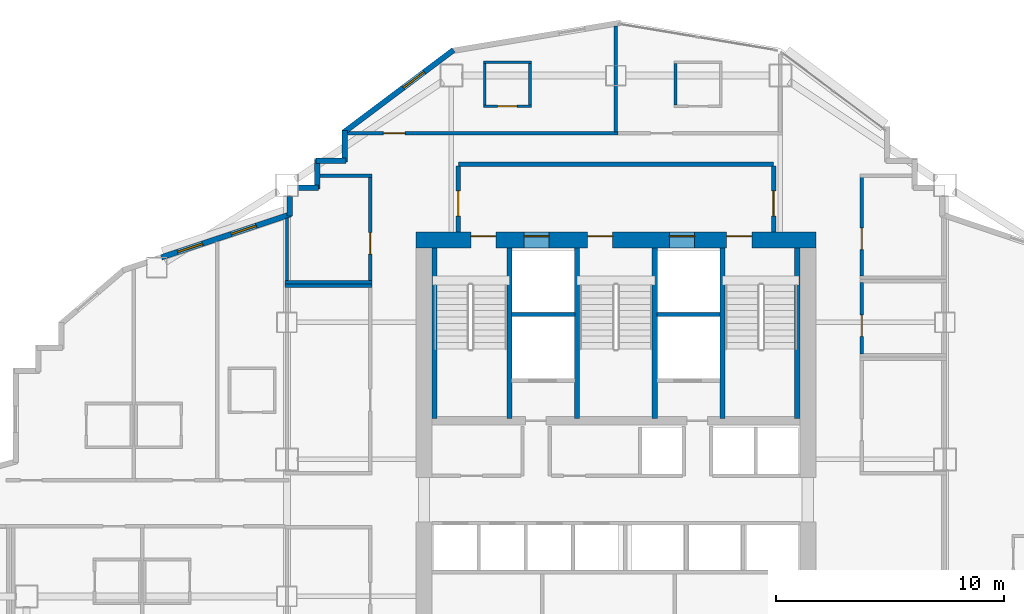
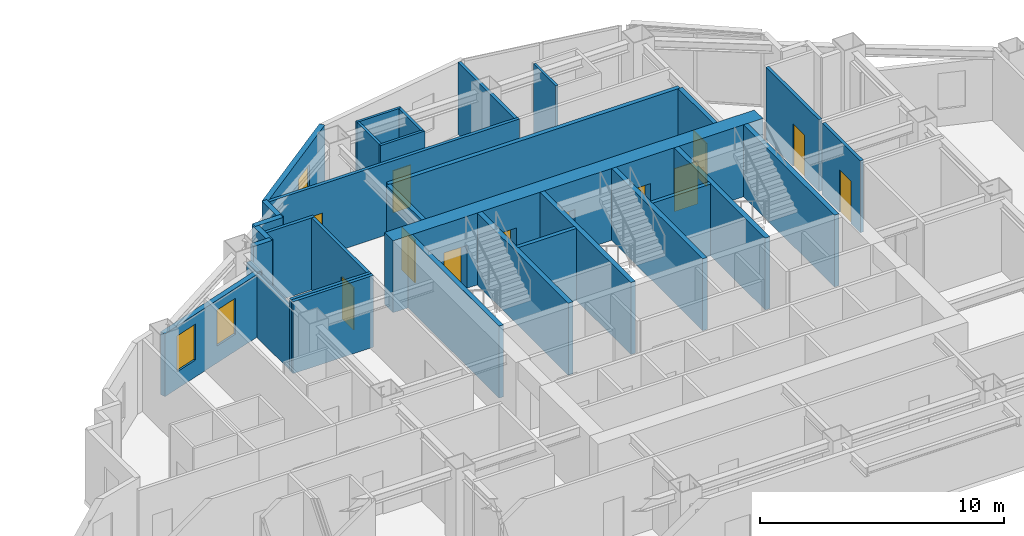
# One storey, part 11 of 14: 33 walls, 12 doors, 3 windows, 15 openings.
"""IFC4 building model written with IfcOpenShell, lengths in metres."""

import ifcopenshell
import ifcopenshell.guid

model = None  # the IFC model being written
_history = None  # IfcOwnerHistory: only IFC2X3 demands one
_inside = {}  # id of a spatial element -> (the spatial element, [elements in it])
_under = {}  # id of a project, library or spatial element -> (it, [spatial elements below it])
_declared = {}  # id of a project -> (the project, [libraries it declares])
_typed = {}  # id of a type object -> (the type object, [elements of that type])
_made_of = {}  # id of a material, layer set ... -> (it, [elements and type objects made of it])


def new_model(schema):
    """Start an empty IFC model of exactly this schema.

    Asked for "IFC4X3", IfcOpenShell would pick the latest addendum, in which some entities
    have other attributes; the version numbers below select the first issue.
    IFC2X3 requires an IfcOwnerHistory on every rooted entity: one is made here for all.
    """
    global model, _history
    if schema == "IFC4X3":
        model = ifcopenshell.file(schema_version=(4, 3, 0, 0))
    else:
        model = ifcopenshell.file(schema=schema)
    _inside.clear()
    _under.clear()
    _declared.clear()
    _typed.clear()
    _made_of.clear()
    _history = None
    if model.schema == "IFC2X3":
        org = make("IfcOrganization", Name="unknown")
        user = make(
            "IfcPersonAndOrganization",
            ThePerson=make("IfcPerson", FamilyName="unknown"),
            TheOrganization=org,
        )
        app = make(
            "IfcApplication",
            ApplicationDeveloper=org,
            Version="unknown",
            ApplicationFullName="unknown",
            ApplicationIdentifier="unknown",
        )
        _history = make(
            "IfcOwnerHistory",
            OwningUser=user,
            OwningApplication=app,
            ChangeAction="ADDED",
            CreationDate=0,
        )
    return model


def make(cls, **values):
    """One entity of the class cls with the attributes given. An attribute that is None is left unset."""
    return model.create_entity(
        cls, **{name: value for name, value in values.items() if value is not None}
    )


def rooted(cls, **values):
    """An entity with a GlobalId (a new one), such as an element, a storey or a relation."""
    return make(cls, GlobalId=ifcopenshell.guid.new(), OwnerHistory=_history, **values)


def si_unit(unit_type, name, prefix=None):
    """IfcSIUnit, for example si_unit("LENGTHUNIT", "METRE", prefix="MILLI")."""
    return make("IfcSIUnit", UnitType=unit_type, Prefix=prefix, Name=name)


def assignment(units):
    """IfcUnitAssignment: the units of a project."""
    return None if units is None else make("IfcUnitAssignment", Units=units)


def point(xyz):
    """IfcCartesianPoint."""
    return None if xyz is None else make("IfcCartesianPoint", Coordinates=xyz)


def direction(xyz):
    """IfcDirection."""
    return None if xyz is None else make("IfcDirection", DirectionRatios=xyz)


def frame(location, z_axis=None, x_axis=None):
    """IfcAxis2Placement3D, a coordinate frame: its origin and axes. An axis left out is left unset."""
    return make(
        "IfcAxis2Placement3D",
        Location=point(location),
        Axis=direction(z_axis),
        RefDirection=direction(x_axis),
    )


def frame_2d(location, x_axis=None):
    """IfcAxis2Placement2D, a coordinate frame in the plane: its origin and x axis."""
    return make(
        "IfcAxis2Placement2D", Location=point(location), RefDirection=direction(x_axis)
    )


def origin():
    """The frame at (0, 0, 0) with its axes left unset."""
    return frame((0.0, 0.0, 0.0))


def place(relative_to, where):
    """IfcLocalPlacement: puts the frame where relative to a parent placement (None: the world)."""
    return make(
        "IfcLocalPlacement", PlacementRelTo=relative_to, RelativePlacement=where
    )


def context(
    kind, dimensions, precision=None, world=None, true_north=None, identifier=None
):
    """IfcGeometricRepresentationContext, for example the 3D "Model" context."""
    return make(
        "IfcGeometricRepresentationContext",
        ContextIdentifier=identifier,
        ContextType=kind,
        CoordinateSpaceDimension=dimensions,
        Precision=precision,
        WorldCoordinateSystem=world,
        TrueNorth=true_north,
    )


def subcontext(parent, identifier, kind, view, scale=None):
    """IfcGeometricRepresentationSubContext, for example "Body" below "Model"."""
    return make(
        "IfcGeometricRepresentationSubContext",
        ContextIdentifier=identifier,
        ContextType=kind,
        ParentContext=parent,
        TargetScale=scale,
        TargetView=view,
    )


def project(units=None, contexts=None):
    """IfcProject with its units and contexts."""
    return rooted(
        "IfcProject",
        Name="project",
        RepresentationContexts=contexts,
        UnitsInContext=assignment(units),
    )


def spatial(cls, under=None, at=None, **own):
    """A site, building, storey or space (cls), placed at a placement, below another one or the project."""
    s = rooted(cls, ObjectPlacement=at, **own)
    if under is not None:
        _under.setdefault(under.id(), (under, []))[1].append(s)
    return s


def profile(cls, at=None, kind="AREA", **sizes):
    """A parametric profile (cls). Its sizes go by their IFC names, for example OverallWidth=200.0."""
    return make(cls, ProfileType=kind, Position=at, **sizes)


def rectangle(**sizes):
    """IfcRectangleProfileDef."""
    return profile("IfcRectangleProfileDef", **sizes)


def extrude(swept, where, along, depth):
    """IfcExtrudedAreaSolid: the profile swept, set in the frame where, extruded along a direction by depth."""
    return make(
        "IfcExtrudedAreaSolid",
        SweptArea=swept,
        Position=where,
        ExtrudedDirection=direction(along),
        Depth=depth,
    )


def shape(context_of_items, identifier, shape_type, items):
    """IfcShapeRepresentation: the items that make up one representation, for example the "Body"."""
    return make(
        "IfcShapeRepresentation",
        ContextOfItems=context_of_items,
        RepresentationIdentifier=identifier,
        RepresentationType=shape_type,
        Items=items,
    )


def material(Name=None, Category=None):
    """IfcMaterial."""
    return make("IfcMaterial", Name=Name, Category=Category)


def layer(
    of_material, thickness, ventilated=None, Name=None, Category=None, Priority=None
):
    """IfcMaterialLayer: one layer of a wall or slab, of a material (None: an air gap)."""
    return make(
        "IfcMaterialLayer",
        Material=of_material,
        LayerThickness=thickness,
        IsVentilated=ventilated,
        Name=Name,
        Category=Category,
        Priority=Priority,
    )


def layer_set(layers, Name=None):
    """IfcMaterialLayerSet."""
    return make("IfcMaterialLayerSet", MaterialLayers=layers, LayerSetName=Name)


def made_of(thing, what):
    """Note that an element or type object is made of a material, layer set ...; save() writes the relation."""
    if what is not None:
        _made_of.setdefault(what.id(), (what, []))[1].append(thing)
    return thing


def type_object(cls, material=None, **own):
    """A type object (cls), such as IfcWallType, which elements share."""
    return made_of(rooted(cls, **own), material)


def element(
    cls,
    number,
    at=None,
    inside=None,
    cuts=None,
    type_object=None,
    material=None,
    context=None,
    identifier="Body",
    shape_type=None,
    held_by="IfcProductDefinitionShape",
    body=None,
    shapes=None,
    **own,
):
    """One element of the class cls, such as IfcWall. Its Tag is "e" and its number.

    at: its placement. inside: the storey or other place that contains it. cuts: it is an
    opening in that element (IfcRelVoidsElement). A single representation is given by context,
    identifier, shape_type and body (its items); several are given by shapes. held_by: the class
    of the entity that holds the representations. save() writes the other relations.
    """
    e = rooted(cls, Tag="e%d" % number, ObjectPlacement=at, **own)
    if body is not None:
        shapes = [shape(context, identifier, shape_type, body)]
    if shapes is not None:
        e.Representation = make(held_by, Representations=shapes)
    if inside is not None:
        _inside.setdefault(inside.id(), (inside, []))[1].append(e)
    if cuts is not None:
        rooted(
            "IfcRelVoidsElement", RelatingBuildingElement=cuts, RelatedOpeningElement=e
        )
    if type_object is not None:
        _typed.setdefault(type_object.id(), (type_object, []))[1].append(e)
    return made_of(e, material)


def fill(opening, filler):
    """IfcRelFillsElement: the door or window that sits in an opening."""
    return rooted(
        "IfcRelFillsElement",
        RelatingOpeningElement=opening,
        RelatedBuildingElement=filler,
    )


def aggregate(whole, parts):
    """IfcRelAggregates: a whole, such as a stair, and the parts it consists of."""
    return rooted("IfcRelAggregates", RelatingObject=whole, RelatedObjects=parts)


def save(model, path):
    """Write the relations noted so far, then the file.

    IfcRelAggregates (storeys below a building ...), IfcRelContainedInSpatialStructure (elements
    in a storey), IfcRelDefinesByType, IfcRelAssociatesMaterial and IfcRelDeclares: one each for
    every whole, place, type object, material and project.
    """
    for whole, parts in _under.values():
        aggregate(whole, parts)
    for where, things in _inside.values():
        rooted(
            "IfcRelContainedInSpatialStructure",
            RelatedElements=things,
            RelatingStructure=where,
        )
    for kind, things in _typed.values():
        rooted("IfcRelDefinesByType", RelatedObjects=things, RelatingType=kind)
    for what, things in _made_of.values():
        rooted("IfcRelAssociatesMaterial", RelatedObjects=things, RelatingMaterial=what)
    for by, libraries in _declared.values():
        rooted("IfcRelDeclares", RelatingContext=by, RelatedDefinitions=libraries)
    model.write(path)


model = new_model("IFC4")

# Units and contexts
model_context = context("Model", 3, precision=1e-05, world=origin(), true_north=direction((0.0, 1.0)))
body_context = subcontext(model_context, "Body", "Model", "MODEL_VIEW")
ifc_project = project(units=[si_unit("LENGTHUNIT", "METRE"), si_unit("AREAUNIT", "SQUARE_METRE"), si_unit("VOLUMEUNIT", "CUBIC_METRE"), si_unit("PLANEANGLEUNIT", "RADIAN"), si_unit("MASSUNIT", "GRAM", prefix="KILO")], contexts=[model_context])

# Site, building, storey
site_placement = place(None, origin())
site = spatial("IfcSite", under=ifc_project, at=site_placement, CompositionType="ELEMENT")
building_placement = place(site_placement, origin())
building = spatial("IfcBuilding", under=site, at=building_placement, Name="Haolan Belvedere Tower", CompositionType="ELEMENT")
storey_placement = place(building_placement, frame((0.0, 0.0, 148.60009765625)))
storey = spatial("IfcBuildingStorey", under=building, at=storey_placement, Name="L37", CompositionType="ELEMENT", Elevation=148.60009765625)

# Wall, openings, doors
ifc_material_1 = material(Name="Concrete C60/75", Category="concrete")
ifc_layer_1 = layer(ifc_material_1, 0.699951171875, Name="Concrete C60/75")
ifc_layer_set_1 = layer_set([ifc_layer_1], Name="Concrete C60/75")
wall_type_1 = type_object("IfcWallType", Name="WL-CORE-700", PredefinedType="SHEAR", material=ifc_layer_set_1)
wall_1_placement = place(storey_placement, frame((29.64990234375, 43.199951171875, 0.0), z_axis=(0.0, 0.0, 1.0), x_axis=(1.0, 0.0, 0.0)))
wall_1 = element("IfcWall", 1, at=wall_1_placement, inside=storey, type_object=wall_type_1, Name="L37 central core north shear wall", PredefinedType="SHEAR", context=body_context, shape_type="SweptSolid", body=[
    extrude(rectangle(XDim=17.5, YDim=0.699951171875, at=frame_2d((8.75, 0.0))), origin(), (0.0, 0.0, 1.0), 3.599853515625),
])
opening_1_placement = place(wall_1_placement, frame((2.39990234375, 0.0, 0.0)))
opening_1 = element("IfcOpeningElement", 2, at=opening_1_placement, cuts=wall_1, Name="Opening FD-03", PredefinedType="OPENING", context=body_context, shape_type="SweptSolid", body=[
    extrude(rectangle(XDim=1.10009765625, YDim=2.14990234375, at=frame_2d((0.550048828125, 1.074951171875))), frame((0.0, 0.35986328125, 0.0), z_axis=(0.0, -1.0, 0.0), x_axis=(1.0, 0.0, 0.0)), (0.0, 0.0, 1.0), 0.719970703125),
])
opening_2_placement = place(wall_1_placement, frame((7.510009765625, 0.0, 0.0)))
opening_2 = element("IfcOpeningElement", 3, at=opening_2_placement, cuts=wall_1, Name="Opening FD-03", PredefinedType="OPENING", context=body_context, shape_type="SweptSolid", body=[
    extrude(rectangle(XDim=1.10009765625, YDim=2.14990234375, at=frame_2d((0.550048828125, 1.074951171875))), frame((0.0, 0.35986328125, 0.0), z_axis=(0.0, -1.0, 0.0), x_axis=(1.0, 0.0, 0.0)), (0.0, 0.0, 1.0), 0.719970703125),
])
opening_3_placement = place(wall_1_placement, frame((13.60009765625, 0.0, 0.0)))
opening_3 = element("IfcOpeningElement", 4, at=opening_3_placement, cuts=wall_1, Name="Opening FD-03", PredefinedType="OPENING", context=body_context, shape_type="SweptSolid", body=[
    extrude(rectangle(XDim=1.10009765625, YDim=2.14990234375, at=frame_2d((0.550048828125, 1.074951171875))), frame((0.0, 0.35986328125, 0.0), z_axis=(0.0, -1.0, 0.0), x_axis=(1.0, 0.0, 0.0)), (0.0, 0.0, 1.0), 0.719970703125),
])
opening_4_placement = place(wall_1_placement, frame((4.72998046875, 0.0, 0.0)))
opening_4 = element("IfcOpeningElement", 5, at=opening_4_placement, cuts=wall_1, Name="Opening LD-01", PredefinedType="OPENING", context=body_context, shape_type="SweptSolid", body=[
    extrude(rectangle(XDim=1.10009765625, YDim=2.199951171875, at=frame_2d((0.550048828125, 1.10009765625))), frame((0.0, 0.35986328125, 0.0), z_axis=(0.0, -1.0, 0.0), x_axis=(1.0, 0.0, 0.0)), (0.0, 0.0, 1.0), 0.719970703125),
])
opening_5_placement = place(wall_1_placement, frame((11.090087890625, 0.0, 0.0)))
opening_5 = element("IfcOpeningElement", 6, at=opening_5_placement, cuts=wall_1, Name="Opening LD-01", PredefinedType="OPENING", context=body_context, shape_type="SweptSolid", body=[
    extrude(rectangle(XDim=1.10009765625, YDim=2.199951171875, at=frame_2d((0.550048828125, 1.10009765625))), frame((0.0, 0.35986328125, 0.0), z_axis=(0.0, -1.0, 0.0), x_axis=(1.0, 0.0, 0.0)), (0.0, 0.0, 1.0), 0.719970703125),
])
ifc_material_2 = material(Name="Galvanised fire-rated steel", Category="steel")
door_type_1 = type_object("IfcDoorType", Name="DR-FD90-1100", OperationType="NOTDEFINED", PredefinedType="DOOR", material=ifc_material_2)
door_1_placement = place(opening_1_placement, origin())
door_1 = element("IfcDoor", 7, at=door_1_placement, inside=storey, type_object=door_type_1, Name="L37 door CD-L37-ST1", OperationType="SINGLE_SWING_LEFT", OverallHeight=2.14990234375, OverallWidth=1.10009765625, PredefinedType="DOOR", context=body_context, shape_type="SweptSolid", body=[
    extrude(rectangle(XDim=1.10009765625, YDim=2.14990234375, at=frame_2d((0.550048828125, 1.074951171875))), frame((0.0, 0.18505859375, 0.0), z_axis=(0.0, -1.0, 0.0), x_axis=(1.0, 0.0, 0.0)), (0.0, 0.0, 1.0), 0.050048828125),
])
fill(opening_1, door_1)
door_2_placement = place(opening_2_placement, origin())
door_2 = element("IfcDoor", 8, at=door_2_placement, inside=storey, type_object=door_type_1, Name="L37 door CD-L37-ST3", OperationType="SINGLE_SWING_LEFT", OverallHeight=2.14990234375, OverallWidth=1.10009765625, PredefinedType="DOOR", context=body_context, shape_type="SweptSolid", body=[
    extrude(rectangle(XDim=1.10009765625, YDim=2.14990234375, at=frame_2d((0.550048828125, 1.074951171875))), frame((0.0, 0.18505859375, 0.0), z_axis=(0.0, -1.0, 0.0), x_axis=(1.0, 0.0, 0.0)), (0.0, 0.0, 1.0), 0.050048828125),
])
fill(opening_2, door_2)
door_3_placement = place(opening_3_placement, origin())
door_3 = element("IfcDoor", 9, at=door_3_placement, inside=storey, type_object=door_type_1, Name="L37 door CD-L37-ST2", OperationType="SINGLE_SWING_RIGHT", OverallHeight=2.14990234375, OverallWidth=1.10009765625, PredefinedType="DOOR", context=body_context, shape_type="SweptSolid", body=[
    extrude(rectangle(XDim=1.10009765625, YDim=2.14990234375, at=frame_2d((0.550048828125, 1.074951171875))), frame((0.0, 0.18505859375, 0.0), z_axis=(0.0, -1.0, 0.0), x_axis=(1.0, 0.0, 0.0)), (0.0, 0.0, 1.0), 0.050048828125),
])
fill(opening_3, door_3)
ifc_material_3 = material(Name="Brushed champagne stainless steel 316L", Category="steel")
door_type_2 = type_object("IfcDoorType", Name="DR-LIFT-1100", OperationType="SLIDING_TO_LEFT", PredefinedType="DOOR", material=ifc_material_3)
door_4_placement = place(opening_4_placement, origin())
door_4 = element("IfcDoor", 10, at=door_4_placement, inside=storey, type_object=door_type_2, Name="L37 door LD-L37-FF1", OperationType="SLIDING_TO_LEFT", OverallHeight=2.199951171875, OverallWidth=1.10009765625, PredefinedType="DOOR", context=body_context, shape_type="SweptSolid", body=[
    extrude(rectangle(XDim=1.10009765625, YDim=2.199951171875, at=frame_2d((0.550048828125, 1.10009765625))), frame((0.0, 0.18505859375, 0.0), z_axis=(0.0, -1.0, 0.0), x_axis=(1.0, 0.0, 0.0)), (0.0, 0.0, 1.0), 0.050048828125),
])
fill(opening_4, door_4)
door_5_placement = place(opening_5_placement, origin())
door_5 = element("IfcDoor", 11, at=door_5_placement, inside=storey, type_object=door_type_2, Name="L37 door LD-L37-FF2", OperationType="SLIDING_TO_LEFT", OverallHeight=2.199951171875, OverallWidth=1.10009765625, PredefinedType="DOOR", context=body_context, shape_type="SweptSolid", body=[
    extrude(rectangle(XDim=1.10009765625, YDim=2.199951171875, at=frame_2d((0.550048828125, 1.10009765625))), frame((0.0, 0.18505859375, 0.0), z_axis=(0.0, -1.0, 0.0), x_axis=(1.0, 0.0, 0.0)), (0.0, 0.0, 1.0), 0.050048828125),
])
fill(opening_5, door_5)

# Wall, opening, window
ifc_material_4 = material(Name="Precast concrete C40/50", Category="concrete")
ifc_layer_2 = layer(ifc_material_4, 0.239990234375, Name="Precast concrete C40/50")
ifc_layer_set_2 = layer_set([ifc_layer_2], Name="Precast concrete C40/50")
wall_type_2 = type_object("IfcWallType", Name="WL-EXT-240", PredefinedType="SOLIDWALL", material=ifc_layer_set_2)
wall_2_placement = place(storey_placement, frame((31.29248046875, 51.519287109375, 0.0), z_axis=(0.0, 0.0, 1.0), x_axis=(-0.8, -0.6, 0.0)))
wall_2 = element("IfcWall", 12, at=wall_2_placement, inside=storey, type_object=wall_type_2, Name="L37 pale-metal exterior spandrel wall 29.1", PredefinedType="SOLIDWALL", context=body_context, shape_type="SweptSolid", body=[
    extrude(rectangle(XDim=6.0205078125, YDim=0.239990234375, at=frame_2d((3.01025390625, 0.0))), origin(), (0.0, 0.0, 1.0), 3.599853515625),
])
opening_6_placement = place(wall_2_placement, frame((1.60009765625, 0.0, 0.85009765625)))
opening_6 = element("IfcOpeningElement", 13, at=opening_6_placement, cuts=wall_2, Name="Opening W-02", PredefinedType="OPENING", context=body_context, shape_type="SweptSolid", body=[
    extrude(rectangle(XDim=1.14990234375, YDim=1.800048828125, at=frame_2d((0.574951171875, 0.89990234375))), frame((0.0, 0.1298828125, 0.0), z_axis=(0.0, -1.0, 0.0), x_axis=(1.0, 0.0, 0.0)), (0.0, 0.0, 1.0), 0.260009765625),
])
ifc_material_5 = material(Name="Anodised aluminium 6063-T6 and Low-E glass", Category="aluminium")
window_type = type_object("IfcWindowType", Name="WN-DECO-Z2", PartitioningType="SINGLE_PANEL", PredefinedType="WINDOW", material=ifc_material_5)
window_1_placement = place(opening_6_placement, origin())
window_1 = element("IfcWindow", 14, at=window_1_placement, inside=storey, type_object=window_type, Name="L37 Art Deco chevron window 1", OverallHeight=1.800048828125, OverallWidth=1.14990234375, PartitioningType="SINGLE_PANEL", PredefinedType="WINDOW", context=body_context, shape_type="SweptSolid", body=[
    extrude(rectangle(XDim=1.14990234375, YDim=1.800048828125, at=frame_2d((0.574951171875, 0.89990234375))), frame((0.0, 0.030029296875, 0.0), z_axis=(0.0, -1.0, 0.0), x_axis=(1.0, 0.0, 0.0)), (0.0, 0.0, 1.0), 0.06005859375),
])
fill(opening_6, window_1)

# Walls
wall_3_placement = place(storey_placement, frame((26.52001953125, 47.9951171875, 0.0), z_axis=(0.0, 0.0, 1.0), x_axis=(0.0, -1.0, 0.0)))
element("IfcWall", 15, at=wall_3_placement, inside=storey, type_object=wall_type_2, Name="L37 pale-metal exterior spandrel wall 30.1", PredefinedType="SOLIDWALL", context=body_context, shape_type="SweptSolid", body=[
    extrude(rectangle(XDim=1.3701171875, YDim=0.239990234375, at=frame_2d((0.68505859375, 0.0))), origin(), (0.0, 0.0, 1.0), 3.599853515625),
])
for number, where, z_axis, x_axis, name in (
    (16, (26.574951171875, 46.679931640625, 0.0), (0.0, 0.0, 1.0), (-1.0, 0.0, 0.0), "L37 pale-metal exterior spandrel wall 31.1"),
    (17, (25.320068359375, 46.735107421875, 0.0), (0.0, 0.0, 1.0), (0.0, -1.0, 0.0), "L37 pale-metal exterior spandrel wall 32.1"),
):
    element("IfcWall", number, at=place(storey_placement, frame(where, z_axis=z_axis, x_axis=x_axis)), inside=storey, type_object=wall_type_2, Name=name, PredefinedType="SOLIDWALL", context=body_context, shape_type="SweptSolid", body=[
        extrude(rectangle(XDim=1.31005859375, YDim=0.239990234375, at=frame_2d((0.655029296875, 0.0))), origin(), (0.0, 0.0, 1.0), 3.599853515625),
    ])
wall_4_placement = place(storey_placement, frame((25.375, 45.47998046875, 0.0), z_axis=(0.0, 0.0, 1.0), x_axis=(-1.0, 0.0, 0.0)))
element("IfcWall", 18, at=wall_4_placement, inside=storey, type_object=wall_type_2, Name="L37 pale-metal exterior spandrel wall 33.1", PredefinedType="SOLIDWALL", context=body_context, shape_type="SweptSolid", body=[
    extrude(rectangle(XDim=0.883056640625, YDim=0.239990234375, at=frame_2d((0.44140625, 0.0))), origin(), (0.0, 0.0, 1.0), 3.599853515625),
])
wall_5_placement = place(storey_placement, frame((24.1201171875, 45.10791015625, 0.0), z_axis=(0.0, 0.0, 1.0), x_axis=(0.0, -1.0, 0.0)))
element("IfcWall", 19, at=wall_5_placement, inside=storey, type_object=wall_type_2, Name="L37 pale-metal exterior spandrel wall 34.1", PredefinedType="SOLIDWALL", context=body_context, shape_type="SweptSolid", body=[
    extrude(rectangle(XDim=0.849365234375, YDim=0.239990234375, at=frame_2d((0.4248046875, 0.0))), origin(), (0.0, 0.0, 1.0), 3.14501953125),
])

# Wall, openings, windows
wall_6_placement = place(storey_placement, frame((24.172119140625, 44.330810546875, 0.0), z_axis=(0.0, 0.0, 1.0), x_axis=(-0.948683298051, -0.316227766017, 0.0)))
wall_6 = element("IfcWall", 20, at=wall_6_placement, inside=storey, type_object=wall_type_2, Name="L37 pale-metal exterior spandrel wall 35.1", PredefinedType="SOLIDWALL", context=body_context, shape_type="SweptSolid", body=[
    extrude(rectangle(XDim=5.973388671875, YDim=0.239990234375, at=frame_2d((2.98681640625, 0.0))), origin(), (0.0, 0.0, 1.0), 3.14501953125),
])
opening_7_placement = place(wall_6_placement, frame((1.60009765625, 0.0, 0.85009765625)))
opening_7 = element("IfcOpeningElement", 21, at=opening_7_placement, cuts=wall_6, Name="Opening W-02", PredefinedType="OPENING", context=body_context, shape_type="SweptSolid", body=[
    extrude(rectangle(XDim=1.14990234375, YDim=1.800048828125, at=frame_2d((0.574951171875, 0.89990234375))), frame((0.0, 0.1298828125, 0.0), z_axis=(0.0, -1.0, 0.0), x_axis=(1.0, 0.0, 0.0)), (0.0, 0.0, 1.0), 0.260009765625),
])
opening_8_placement = place(wall_6_placement, frame((4.078125, 0.0, 0.85009765625)))
opening_8 = element("IfcOpeningElement", 22, at=opening_8_placement, cuts=wall_6, Name="Opening W-02", PredefinedType="OPENING", context=body_context, shape_type="SweptSolid", body=[
    extrude(rectangle(XDim=1.14990234375, YDim=1.800048828125, at=frame_2d((0.574951171875, 0.89990234375))), frame((0.0, 0.1298828125, 0.0), z_axis=(0.0, -1.0, 0.0), x_axis=(1.0, 0.0, 0.0)), (0.0, 0.0, 1.0), 0.260009765625),
])
window_2_placement = place(opening_7_placement, origin())
window_2 = element("IfcWindow", 23, at=window_2_placement, inside=storey, type_object=window_type, Name="L37 Art Deco chevron window 1", OverallHeight=1.800048828125, OverallWidth=1.14990234375, PartitioningType="SINGLE_PANEL", PredefinedType="WINDOW", context=body_context, shape_type="SweptSolid", body=[
    extrude(rectangle(XDim=1.14990234375, YDim=1.800048828125, at=frame_2d((0.574951171875, 0.89990234375))), frame((0.0, 0.030029296875, 0.0), z_axis=(0.0, -1.0, 0.0), x_axis=(1.0, 0.0, 0.0)), (0.0, 0.0, 1.0), 0.06005859375),
])
fill(opening_7, window_2)
window_3_placement = place(opening_8_placement, origin())
window_3 = element("IfcWindow", 24, at=window_3_placement, inside=storey, type_object=window_type, Name="L37 Art Deco guestroom window 1", OverallHeight=1.800048828125, OverallWidth=1.14990234375, PartitioningType="SINGLE_PANEL", PredefinedType="WINDOW", context=body_context, shape_type="SweptSolid", body=[
    extrude(rectangle(XDim=1.14990234375, YDim=1.800048828125, at=frame_2d((0.574951171875, 0.89990234375))), frame((0.0, 0.030029296875, 0.0), z_axis=(0.0, -1.0, 0.0), x_axis=(1.0, 0.0, 0.0)), (0.0, 0.0, 1.0), 0.06005859375),
])
fill(opening_8, window_3)

# Wall
ifc_material_6 = material(Name="Concrete C40/50", Category="concrete")
ifc_layer_3 = layer(ifc_material_6, 0.199951171875, Name="Concrete C40/50")
ifc_layer_set_3 = layer_set([ifc_layer_3], Name="Concrete C40/50")
wall_type_3 = type_object("IfcWallType", Name="WL-FIRE-200", PredefinedType="SOLIDWALL", material=ifc_layer_set_3)
wall_7_placement = place(storey_placement, frame((31.5, 46.52001953125, 0.0), z_axis=(0.0, 0.0, 1.0), x_axis=(1.0, 0.0, 0.0)))
element("IfcWall", 25, at=wall_7_placement, inside=storey, type_object=wall_type_3, Name="L37 interior partition IW-L37-FFL-N", PredefinedType="SOLIDWALL", context=body_context, shape_type="SweptSolid", body=[
    extrude(rectangle(XDim=13.800048828125, YDim=0.199951171875, at=frame_2d((6.89990234375, 0.0))), origin(), (0.0, 0.0, 1.0), 3.599853515625),
])

# Wall, opening, door
wall_8_placement = place(storey_placement, frame((31.5, 43.550048828125, 0.0), z_axis=(0.0, 0.0, 1.0), x_axis=(0.0, 1.0, 0.0)))
wall_8 = element("IfcWall", 26, at=wall_8_placement, inside=storey, type_object=wall_type_3, Name="L37 interior partition IW-L37-FFL-W", PredefinedType="SOLIDWALL", context=body_context, shape_type="SweptSolid", body=[
    extrude(rectangle(XDim=2.885009765625, YDim=0.199951171875, at=frame_2d((1.4423828125, 0.0))), origin(), (0.0, 0.0, 1.0), 3.599853515625),
])
opening_9_placement = place(wall_8_placement, frame((1.800048828125, 0.0, 0.0), z_axis=(0.0, 0.0, 1.0), x_axis=(-1.0, 0.0, 0.0)))
opening_9 = element("IfcOpeningElement", 27, at=opening_9_placement, cuts=wall_8, Name="Opening FD-03", PredefinedType="OPENING", context=body_context, shape_type="SweptSolid", body=[
    extrude(rectangle(XDim=1.10009765625, YDim=2.14990234375, at=frame_2d((0.550048828125, 1.074951171875))), frame((0.0, 0.10986328125, 0.0), z_axis=(0.0, -1.0, 0.0), x_axis=(1.0, 0.0, 0.0)), (0.0, 0.0, 1.0), 0.219970703125),
])
door_6_placement = place(opening_9_placement, origin())
door_6 = element("IfcDoor", 28, at=door_6_placement, inside=storey, type_object=door_type_1, Name="L37 door ID-L37-FFL-DW", OperationType="SINGLE_SWING_LEFT", OverallHeight=2.14990234375, OverallWidth=1.10009765625, PredefinedType="DOOR", context=body_context, shape_type="SweptSolid", body=[
    extrude(rectangle(XDim=1.10009765625, YDim=2.14990234375, at=frame_2d((0.550048828125, 1.074951171875))), frame((0.0, 0.02490234375, 0.0), z_axis=(0.0, -1.0, 0.0), x_axis=(1.0, 0.0, 0.0)), (0.0, 0.0, 1.0), 0.050048828125),
])
fill(opening_9, door_6)

wall_9_placement = place(storey_placement, frame((45.300048828125, 43.550048828125, 0.0), z_axis=(0.0, 0.0, 1.0), x_axis=(0.0, 1.0, 0.0)))
wall_9 = element("IfcWall", 29, at=wall_9_placement, inside=storey, type_object=wall_type_3, Name="L37 interior partition IW-L37-FFL-E", PredefinedType="SOLIDWALL", context=body_context, shape_type="SweptSolid", body=[
    extrude(rectangle(XDim=2.885009765625, YDim=0.199951171875, at=frame_2d((1.4423828125, 0.0))), origin(), (0.0, 0.0, 1.0), 3.599853515625),
])
opening_10_placement = place(wall_9_placement, frame((0.699951171875, 0.0, 0.0)))
opening_10 = element("IfcOpeningElement", 30, at=opening_10_placement, cuts=wall_9, Name="Opening FD-03", PredefinedType="OPENING", context=body_context, shape_type="SweptSolid", body=[
    extrude(rectangle(XDim=1.10009765625, YDim=2.14990234375, at=frame_2d((0.550048828125, 1.074951171875))), frame((0.0, 0.10986328125, 0.0), z_axis=(0.0, -1.0, 0.0), x_axis=(1.0, 0.0, 0.0)), (0.0, 0.0, 1.0), 0.219970703125),
])
door_7_placement = place(opening_10_placement, origin())
door_7 = element("IfcDoor", 31, at=door_7_placement, inside=storey, type_object=door_type_1, Name="L37 door ID-L37-FFL-DE", OperationType="SINGLE_SWING_RIGHT", OverallHeight=2.14990234375, OverallWidth=1.10009765625, PredefinedType="DOOR", context=body_context, shape_type="SweptSolid", body=[
    extrude(rectangle(XDim=1.10009765625, YDim=2.14990234375, at=frame_2d((0.550048828125, 1.074951171875))), frame((0.0, 0.02490234375, 0.0), z_axis=(0.0, -1.0, 0.0), x_axis=(1.0, 0.0, 0.0)), (0.0, 0.0, 1.0), 0.050048828125),
])
fill(opening_10, door_7)

# Walls
ifc_material_7 = material(Name="Double gypsum acoustic stud partition", Category="masonry")
ifc_layer_4 = layer(ifc_material_7, 0.14990234375, Name="Double gypsum acoustic stud partition")
ifc_layer_set_4 = layer_set([ifc_layer_4], Name="Double gypsum acoustic stud partition")
wall_type_4 = type_object("IfcWallType", Name="WL-PART-150", PredefinedType="PARTITIONING", material=ifc_layer_set_4)
wall_10_placement = place(storey_placement, frame((23.919921875, 41.199951171875, 0.0), z_axis=(0.0, 0.0, 1.0), x_axis=(1.0, 0.0, 0.0)))
element("IfcWall", 32, at=wall_10_placement, inside=storey, type_object=wall_type_4, Name="L37 interior partition IW-L37-SAL-N", PredefinedType="PARTITIONING", context=body_context, shape_type="SweptSolid", body=[
    extrude(rectangle(XDim=3.800048828125, YDim=0.14990234375, at=frame_2d((1.89990234375, 0.0))), origin(), (0.0, 0.0, 1.0), 3.599853515625),
])
wall_11_placement = place(storey_placement, frame((25.425048828125, 46.02001953125, 0.0), z_axis=(0.0, 0.0, 1.0), x_axis=(1.0, 0.0, 0.0)))
element("IfcWall", 33, at=wall_11_placement, inside=storey, type_object=wall_type_4, Name="L37 interior partition IW-L37-HSK-N", PredefinedType="PARTITIONING", context=body_context, shape_type="SweptSolid", body=[
    extrude(rectangle(XDim=2.294921875, YDim=0.14990234375, at=frame_2d((1.1474609375, 0.0))), origin(), (0.0, 0.0, 1.0), 3.599853515625),
])
wall_12_placement = place(storey_placement, frame((23.919921875, 41.360107421875, 0.0), z_axis=(0.0, 0.0, 1.0), x_axis=(1.0, 0.0, 0.0)))
element("IfcWall", 34, at=wall_12_placement, inside=storey, type_object=wall_type_4, Name="L37 interior partition IW-L37-HSK-S", PredefinedType="PARTITIONING", context=body_context, shape_type="SweptSolid", body=[
    extrude(rectangle(XDim=3.800048828125, YDim=0.14990234375, at=frame_2d((1.89990234375, 0.0))), origin(), (0.0, 0.0, 1.0), 3.599853515625),
])
wall_13_placement = place(storey_placement, frame((24.0, 41.419921875, 0.0), z_axis=(0.0, 0.0, 1.0), x_axis=(0.0, 1.0, 0.0)))
element("IfcWall", 35, at=wall_13_placement, inside=storey, type_object=wall_type_4, Name="L37 interior partition IW-L37-HSK-W", PredefinedType="PARTITIONING", context=body_context, shape_type="SweptSolid", body=[
    extrude(rectangle(XDim=2.742919921875, YDim=0.14990234375, at=frame_2d((1.37158203125, 0.0))), origin(), (0.0, 0.0, 1.0), 3.14501953125),
])

# Wall, opening, door
wall_14_placement = place(storey_placement, frame((27.639892578125, 41.419921875, 0.0), z_axis=(0.0, 0.0, 1.0), x_axis=(0.0, 1.0, 0.0)))
wall_14 = element("IfcWall", 36, at=wall_14_placement, inside=storey, type_object=wall_type_4, Name="L37 interior partition IW-L37-HSK-E", PredefinedType="PARTITIONING", context=body_context, shape_type="SweptSolid", body=[
    extrude(rectangle(XDim=4.5400390625, YDim=0.14990234375, at=frame_2d((2.27001953125, 0.0))), origin(), (0.0, 0.0, 1.0), 3.599853515625),
])
opening_11_placement = place(wall_14_placement, frame((2.10986328125, 0.0, 0.0), z_axis=(0.0, 0.0, 1.0), x_axis=(-1.0, 0.0, 0.0)))
opening_11 = element("IfcOpeningElement", 37, at=opening_11_placement, cuts=wall_14, Name="Opening ID-03", PredefinedType="OPENING", context=body_context, shape_type="SweptSolid", body=[
    extrude(rectangle(XDim=0.949951171875, YDim=2.1201171875, at=frame_2d((0.47509765625, 1.06005859375))), frame((0.0, 0.0849609375, 0.0), z_axis=(0.0, -1.0, 0.0), x_axis=(1.0, 0.0, 0.0)), (0.0, 0.0, 1.0), 0.169921875),
])
ifc_material_8 = material(Name="Painted solid-core timber", Category="wood")
door_type_3 = type_object("IfcDoorType", Name="DR-INT-950", OperationType="NOTDEFINED", PredefinedType="DOOR", material=ifc_material_8)
door_8_placement = place(opening_11_placement, origin())
door_8 = element("IfcDoor", 38, at=door_8_placement, inside=storey, type_object=door_type_3, Name="L37 door ID-L37-HSK", OperationType="SINGLE_SWING_RIGHT", OverallHeight=2.1201171875, OverallWidth=0.949951171875, PredefinedType="DOOR", context=body_context, shape_type="SweptSolid", body=[
    extrude(rectangle(XDim=0.949951171875, YDim=2.1201171875, at=frame_2d((0.47509765625, 1.06005859375))), frame((0.0, 0.02490234375, 0.0), z_axis=(0.0, -1.0, 0.0), x_axis=(1.0, 0.0, 0.0)), (0.0, 0.0, 1.0), 0.050048828125),
])
fill(opening_11, door_8)

wall_15_placement = place(storey_placement, frame((49.159912109375, 38.219970703125, 0.0), z_axis=(0.0, 0.0, 1.0), x_axis=(0.0, 1.0, 0.0)))
wall_15 = element("IfcWall", 39, at=wall_15_placement, inside=storey, type_object=wall_type_4, Name="L37 interior partition IW-L37-AWC-W", PredefinedType="PARTITIONING", context=body_context, shape_type="SweptSolid", body=[
    extrude(rectangle(XDim=3.1201171875, YDim=0.14990234375, at=frame_2d((1.56005859375, 0.0))), origin(), (0.0, 0.0, 1.0), 3.599853515625),
])
opening_12_placement = place(wall_15_placement, frame((0.760009765625, 0.0, 0.0)))
opening_12 = element("IfcOpeningElement", 40, at=opening_12_placement, cuts=wall_15, Name="Opening ID-03", PredefinedType="OPENING", context=body_context, shape_type="SweptSolid", body=[
    extrude(rectangle(XDim=0.949951171875, YDim=2.1201171875, at=frame_2d((0.47509765625, 1.06005859375))), frame((0.0, 0.0849609375, 0.0), z_axis=(0.0, -1.0, 0.0), x_axis=(1.0, 0.0, 0.0)), (0.0, 0.0, 1.0), 0.169921875),
])
door_9_placement = place(opening_12_placement, origin())
door_9 = element("IfcDoor", 41, at=door_9_placement, inside=storey, type_object=door_type_3, Name="L37 door ID-L37-AWC", OperationType="SINGLE_SWING_LEFT", OverallHeight=2.1201171875, OverallWidth=0.949951171875, PredefinedType="DOOR", context=body_context, shape_type="SweptSolid", body=[
    extrude(rectangle(XDim=0.949951171875, YDim=2.1201171875, at=frame_2d((0.47509765625, 1.06005859375))), frame((0.0, 0.02490234375, 0.0), z_axis=(0.0, -1.0, 0.0), x_axis=(1.0, 0.0, 0.0)), (0.0, 0.0, 1.0), 0.050048828125),
])
fill(opening_12, door_9)

wall_16_placement = place(storey_placement, frame((49.159912109375, 41.6201171875, 0.0), z_axis=(0.0, 0.0, 1.0), x_axis=(0.0, 1.0, 0.0)))
wall_16 = element("IfcWall", 42, at=wall_16_placement, inside=storey, type_object=wall_type_4, Name="L37 interior partition IW-L37-CLN-W", PredefinedType="PARTITIONING", context=body_context, shape_type="SweptSolid", body=[
    extrude(rectangle(XDim=4.33984375, YDim=0.14990234375, at=frame_2d((2.169921875, 0.0))), origin(), (0.0, 0.0, 1.0), 3.599853515625),
])
opening_13_placement = place(wall_16_placement, frame((1.159912109375, 0.0, 0.0)))
opening_13 = element("IfcOpeningElement", 43, at=opening_13_placement, cuts=wall_16, Name="Opening ID-03", PredefinedType="OPENING", context=body_context, shape_type="SweptSolid", body=[
    extrude(rectangle(XDim=0.949951171875, YDim=2.1201171875, at=frame_2d((0.47509765625, 1.06005859375))), frame((0.0, 0.0849609375, 0.0), z_axis=(0.0, -1.0, 0.0), x_axis=(1.0, 0.0, 0.0)), (0.0, 0.0, 1.0), 0.169921875),
])
door_10_placement = place(opening_13_placement, origin())
door_10 = element("IfcDoor", 44, at=door_10_placement, inside=storey, type_object=door_type_3, Name="L37 door ID-L37-CLN", OperationType="SINGLE_SWING_RIGHT", OverallHeight=2.1201171875, OverallWidth=0.949951171875, PredefinedType="DOOR", context=body_context, shape_type="SweptSolid", body=[
    extrude(rectangle(XDim=0.949951171875, YDim=2.1201171875, at=frame_2d((0.47509765625, 1.06005859375))), frame((0.0, 0.02490234375, 0.0), z_axis=(0.0, -1.0, 0.0), x_axis=(1.0, 0.0, 0.0)), (0.0, 0.0, 1.0), 0.050048828125),
])
fill(opening_13, door_10)

wall_17_placement = place(storey_placement, frame((26.625, 47.8798828125, 0.0), z_axis=(0.0, 0.0, 1.0), x_axis=(1.0, 0.0, 0.0)))
wall_17 = element("IfcWall", 45, at=wall_17_placement, inside=storey, type_object=wall_type_4, Name="L37 interior partition IW-L37-KN1-S", PredefinedType="PARTITIONING", context=body_context, shape_type="SweptSolid", body=[
    extrude(rectangle(XDim=11.875, YDim=0.14990234375, at=frame_2d((5.9375, 0.0))), origin(), (0.0, 0.0, 1.0), 3.599853515625),
])
opening_14_placement = place(wall_17_placement, frame((1.597900390625, 0.0, 0.0)))
opening_14 = element("IfcOpeningElement", 46, at=opening_14_placement, cuts=wall_17, Name="Opening ID-02", PredefinedType="OPENING", context=body_context, shape_type="SweptSolid", body=[
    extrude(rectangle(XDim=0.949951171875, YDim=2.14990234375, at=frame_2d((0.47509765625, 1.074951171875))), frame((0.0, 0.0849609375, 0.0), z_axis=(0.0, -1.0, 0.0), x_axis=(1.0, 0.0, 0.0)), (0.0, 0.0, 1.0), 0.169921875),
])
ifc_material_9 = material(Name="Acoustic oak veneer fire-rated timber", Category="wood")
door_type_4 = type_object("IfcDoorType", Name="DR-GUEST-950", OperationType="NOTDEFINED", PredefinedType="DOOR", material=ifc_material_9)
door_11_placement = place(opening_14_placement, origin())
door_11 = element("IfcDoor", 47, at=door_11_placement, inside=storey, type_object=door_type_4, Name="L37 door ID-L37-KN1-ENT", OperationType="SINGLE_SWING_RIGHT", OverallHeight=2.14990234375, OverallWidth=0.949951171875, PredefinedType="DOOR", context=body_context, shape_type="SweptSolid", body=[
    extrude(rectangle(XDim=0.949951171875, YDim=2.14990234375, at=frame_2d((0.47509765625, 1.074951171875))), frame((0.0, 0.02490234375, 0.0), z_axis=(0.0, -1.0, 0.0), x_axis=(1.0, 0.0, 0.0)), (0.0, 0.0, 1.0), 0.050048828125),
])
fill(opening_14, door_11)

# Walls
wall_18_placement = place(storey_placement, frame((38.39990234375, 47.93994140625, 0.0), z_axis=(0.0, 0.0, 1.0), x_axis=(0.0, 1.0, 0.0)))
element("IfcWall", 48, at=wall_18_placement, inside=storey, type_object=wall_type_4, Name="L37 interior partition IW-L37-KN1-E", PredefinedType="PARTITIONING", context=body_context, shape_type="SweptSolid", body=[
    extrude(rectangle(XDim=4.632080078125, YDim=0.14990234375, at=frame_2d((2.31591796875, 0.0))), origin(), (0.0, 0.0, 1.0), 3.599853515625),
])
ifc_layer_5 = layer(ifc_material_4, 0.179931640625, Name="Precast concrete C40/50")
ifc_layer_set_5 = layer_set([ifc_layer_5], Name="Precast concrete C40/50")
wall_type_5 = type_object("IfcWallType", Name="WL-SHAFT-180", PredefinedType="SOLIDWALL", material=ifc_layer_set_5)
for number, where, z_axis, x_axis, name in (
    (49, (33.8349609375, 39.949951171875, 0.0), (0.0, 0.0, 1.0), (1.0, 0.0, 0.0), "L37 interior partition IW-L37-FF1-S"),
    (50, (40.195068359375, 39.949951171875, 0.0), (0.0, 0.0, 1.0), (1.0, 0.0, 0.0), "L37 interior partition IW-L37-FF2-S"),
):
    element("IfcWall", number, at=place(storey_placement, frame(where, z_axis=z_axis, x_axis=x_axis)), inside=storey, type_object=wall_type_5, Name=name, PredefinedType="SOLIDWALL", context=body_context, shape_type="SweptSolid", body=[
        extrude(rectangle(XDim=2.77001953125, YDim=0.179931640625, at=frame_2d((1.385009765625, 0.0))), origin(), (0.0, 0.0, 1.0), 3.599853515625),
    ])
ifc_material_10 = material(Name="Concrete C50/60", Category="concrete")
ifc_layer_6 = layer(ifc_material_10, 0.219970703125, Name="Concrete C50/60")
ifc_layer_set_6 = layer_set([ifc_layer_6], Name="Concrete C50/60")
wall_type_6 = type_object("IfcWallType", Name="WL-STAIR-220", PredefinedType="SHEAR", material=ifc_layer_set_6)
for number, where, z_axis, x_axis, name in (
    (51, (30.4619140625, 35.389892578125, 0.0), (0.0, 0.0, 1.0), (0.0, 1.0, 0.0), "L37 structural stair core wall ST1W"),
    (52, (33.739990234375, 35.389892578125, 0.0), (0.0, 0.0, 1.0), (0.0, 1.0, 0.0), "L37 structural stair core wall ST1E"),
    (53, (36.699951171875, 35.389892578125, 0.0), (0.0, 0.0, 1.0), (0.0, 1.0, 0.0), "L37 structural stair core wall ST3W"),
    (54, (40.10009765625, 35.389892578125, 0.0), (0.0, 0.0, 1.0), (0.0, 1.0, 0.0), "L37 structural stair core wall ST3E"),
    (55, (43.06005859375, 35.389892578125, 0.0), (0.0, 0.0, 1.0), (0.0, 1.0, 0.0), "L37 structural stair core wall ST2W"),
    (56, (46.337890625, 35.389892578125, 0.0), (0.0, 0.0, 1.0), (0.0, 1.0, 0.0), "L37 structural stair core wall ST2E"),
):
    element("IfcWall", number, at=place(storey_placement, frame(where, z_axis=z_axis, x_axis=x_axis)), inside=storey, type_object=wall_type_6, Name=name, PredefinedType="SHEAR", context=body_context, shape_type="SweptSolid", body=[
        extrude(rectangle(XDim=7.460205078125, YDim=0.219970703125, at=frame_2d((3.72998046875, 0.0))), origin(), (0.0, 0.0, 1.0), 3.599853515625),
    ])
ifc_material_11 = material(Name="Moisture-resistant gypsum tile partition", Category="masonry")
ifc_layer_7 = layer(ifc_material_11, 0.1201171875, Name="Moisture-resistant gypsum tile partition")
ifc_layer_set_7 = layer_set([ifc_layer_7], Name="Moisture-resistant gypsum tile partition")
wall_type_7 = type_object("IfcWallType", Name="WL-WET-120", PredefinedType="PARTITIONING", material=ifc_layer_set_7)
wall_19_placement = place(storey_placement, frame((32.595947265625, 50.97998046875, 0.0), z_axis=(0.0, 0.0, 1.0), x_axis=(1.0, 0.0, 0.0)))
element("IfcWall", 57, at=wall_19_placement, inside=storey, type_object=wall_type_7, Name="L37 interior partition IW-L37-KN1-BN", PredefinedType="PARTITIONING", context=body_context, shape_type="SweptSolid", body=[
    extrude(rectangle(XDim=2.10009765625, YDim=0.1201171875, at=frame_2d((1.050048828125, 0.0))), origin(), (0.0, 0.0, 1.0), 3.599853515625),
])

# Wall, opening, door
wall_20_placement = place(storey_placement, frame((32.595947265625, 49.06005859375, 0.0), z_axis=(0.0, 0.0, 1.0), x_axis=(1.0, 0.0, 0.0)))
wall_20 = element("IfcWall", 58, at=wall_20_placement, inside=storey, type_object=wall_type_7, Name="L37 interior partition IW-L37-KN1-BS", PredefinedType="PARTITIONING", context=body_context, shape_type="SweptSolid", body=[
    extrude(rectangle(XDim=2.10009765625, YDim=0.1201171875, at=frame_2d((1.050048828125, 0.0))), origin(), (0.0, 0.0, 1.0), 3.599853515625),
])
opening_15_placement = place(wall_20_placement, frame((0.625, 0.0, 0.0)))
opening_15 = element("IfcOpeningElement", 59, at=opening_15_placement, cuts=wall_20, Name="Opening ID-05", PredefinedType="OPENING", context=body_context, shape_type="SweptSolid", body=[
    extrude(rectangle(XDim=0.85009765625, YDim=2.10009765625, at=frame_2d((0.425048828125, 1.050048828125))), frame((0.0, 0.070068359375, 0.0), z_axis=(0.0, -1.0, 0.0), x_axis=(1.0, 0.0, 0.0)), (0.0, 0.0, 1.0), 0.14013671875),
])
ifc_material_12 = material(Name="Moisture-resistant lacquered timber", Category="wood")
door_type_5 = type_object("IfcDoorType", Name="DR-BATH-850", OperationType="NOTDEFINED", PredefinedType="DOOR", material=ifc_material_12)
door_12_placement = place(opening_15_placement, origin())
door_12 = element("IfcDoor", 60, at=door_12_placement, inside=storey, type_object=door_type_5, Name="L37 door ID-L37-KN1-BATH", OperationType="SINGLE_SWING_LEFT", OverallHeight=2.10009765625, OverallWidth=0.85009765625, PredefinedType="DOOR", context=body_context, shape_type="SweptSolid", body=[
    extrude(rectangle(XDim=0.85009765625, YDim=2.10009765625, at=frame_2d((0.425048828125, 1.050048828125))), frame((0.0, 0.02490234375, 0.0), z_axis=(0.0, -1.0, 0.0), x_axis=(1.0, 0.0, 0.0)), (0.0, 0.0, 1.0), 0.050048828125),
])
fill(opening_15, door_12)

# Walls
for number, where, z_axis, x_axis, name in (
    (61, (32.656005859375, 49.10498046875, 0.0), (0.0, 0.0, 1.0), (0.0, 1.0, 0.0), "L37 interior partition IW-L37-KN1-BW"),
    (62, (34.635986328125, 49.10498046875, 0.0), (0.0, 0.0, 1.0), (0.0, 1.0, 0.0), "L37 interior partition IW-L37-KN1-BE"),
    (63, (41.010009765625, 49.10498046875, 0.0), (0.0, 0.0, 1.0), (0.0, 1.0, 0.0), "L37 interior partition IW-L37-KN2-BW"),
):
    element("IfcWall", number, at=place(storey_placement, frame(where, z_axis=z_axis, x_axis=x_axis)), inside=storey, type_object=wall_type_7, Name=name, PredefinedType="PARTITIONING", context=body_context, shape_type="SweptSolid", body=[
        extrude(rectangle(XDim=1.830078125, YDim=0.1201171875, at=frame_2d((0.9150390625, 0.0))), origin(), (0.0, 0.0, 1.0), 3.599853515625),
    ])

save(model, "model.ifc")
